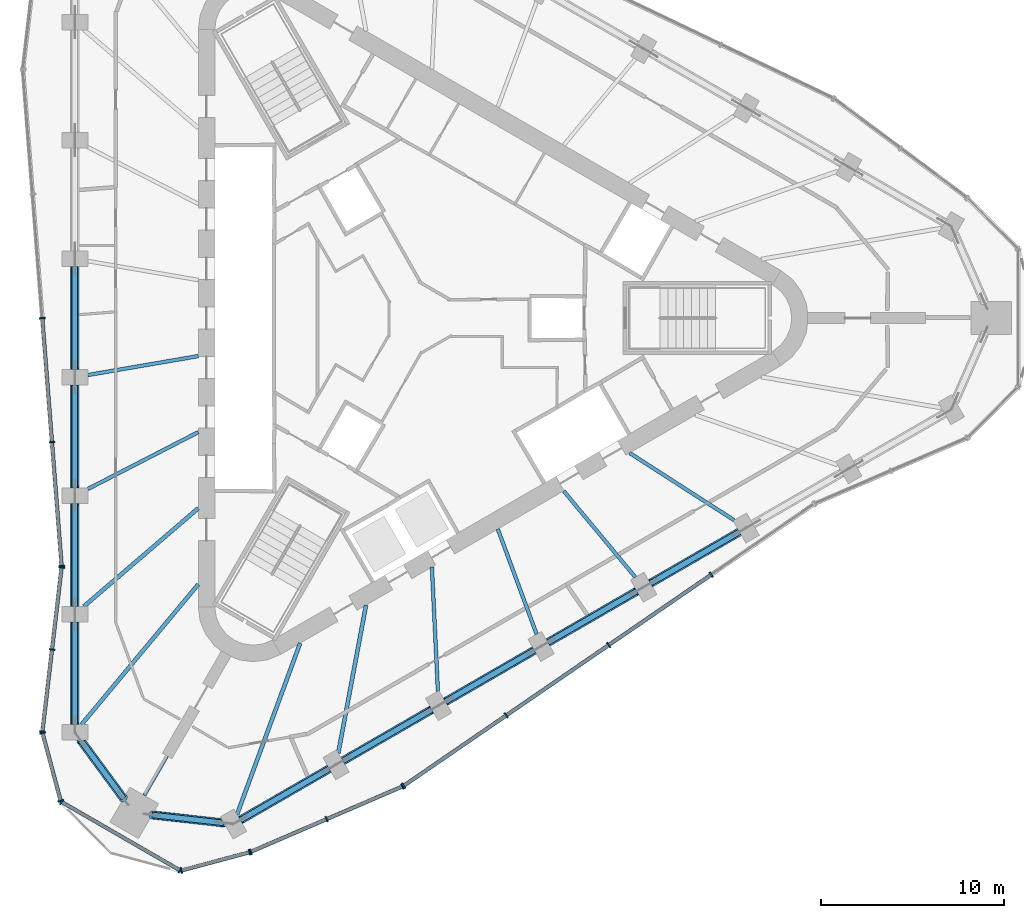
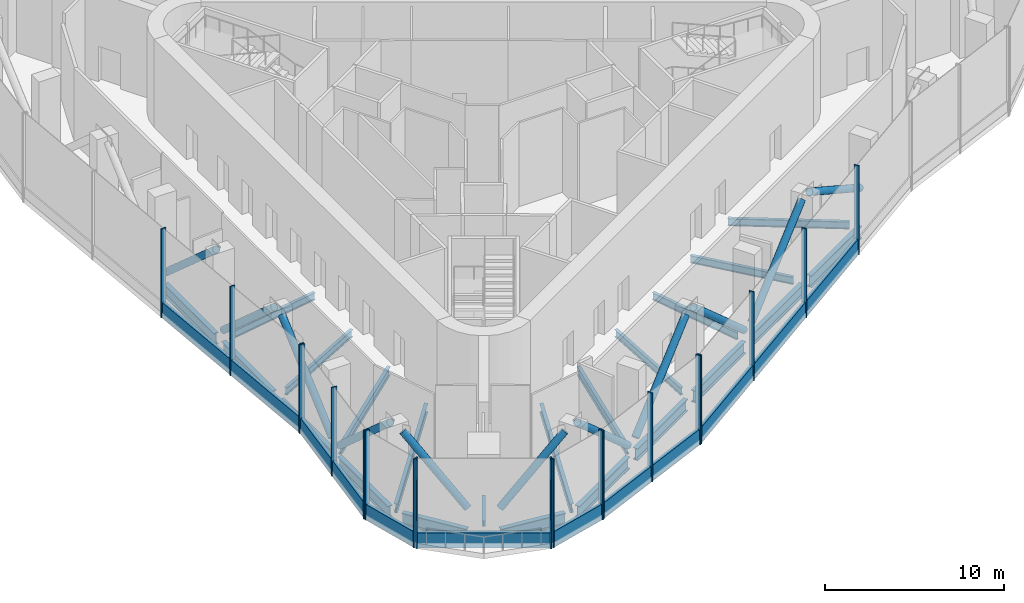
# One storey, part 2 of 15: 42 members, 22 beams, 7 elements without a shape of their own.
"""IFC4 building model written with IfcOpenShell, lengths in metres."""

from ifc_helpers import new_model, si_unit, direction, frame, origin, origin_2d, place, context, subcontext, project, spatial, rectangle, hollow_circle, i_section, extrude, material, material_profile, profile_set, type_object, element, aggregate, save


model = new_model("IFC4")

# Units and contexts
model_context = context("Model", 3, precision=1e-05, world=origin(), true_north=direction((0.0, 1.0)))
body_context = subcontext(model_context, "Body", "Model", "MODEL_VIEW")
ifc_project = project(units=[si_unit("LENGTHUNIT", "METRE"), si_unit("AREAUNIT", "SQUARE_METRE"), si_unit("VOLUMEUNIT", "CUBIC_METRE"), si_unit("PLANEANGLEUNIT", "RADIAN"), si_unit("MASSUNIT", "GRAM", prefix="KILO")], contexts=[model_context])

# Site, building, storey
site_placement = place(None, origin())
site = spatial("IfcSite", under=ifc_project, at=site_placement, CompositionType="ELEMENT")
building_placement = place(site_placement, origin())
building = spatial("IfcBuilding", under=site, at=building_placement, Name="Tanit Gate Tower", CompositionType="ELEMENT")
storey_placement = place(building_placement, frame((0.0, 0.0, 392.300048828125)))
storey = spatial("IfcBuildingStorey", under=building, at=storey_placement, Name="L90", CompositionType="ELEMENT", Elevation=392.300048828125)

# Beams
ifc_material_1 = material(Name="Steel S460", Category="steel")
ifc_material_profile_1 = material_profile(ifc_material_1, i_section(OverallWidth=0.302978515625, OverallDepth=0.81396484375, WebThickness=0.02099609375, FlangeThickness=0.0400390625, FilletRadius=0.030029296875, at=origin_2d()), Name="HEM 800")
ifc_profile_set_1 = profile_set([ifc_material_profile_1], Name="Steel S460")
beam_type_1 = type_object("IfcBeamType", Name="BELT TRUSS CHORD HEM 800 S460", PredefinedType="BEAM", material=ifc_profile_set_1)
for number, where, z_axis, x_axis, name in (
    (1, (-18.833984375, -3.656982421875, -0.757080078125), (0.0, -1.0, 0.0), (1.0, 0.0, 0.0), "BELT TRUSS CHORD"),
    (2, (-18.833984375, -10.120849609375, -0.757080078125), (0.0, -1.0, 0.0), (1.0, 0.0, 0.0), "BELT TRUSS CHORD"),
    (3, (-18.833984375, -16.584716796875, -0.757080078125), (0.0, -1.0, 0.0), (1.0, 0.0, 0.0), "BELT TRUSS CHORD"),
):
    element("IfcBeam", number, at=place(storey_placement, frame(where, z_axis=z_axis, x_axis=x_axis)), inside=storey, type_object=beam_type_1, Name=name, PredefinedType="BEAM", context=body_context, shape_type="SweptSolid", body=[
        extrude(i_section(OverallWidth=0.302978515625, OverallDepth=0.81396484375, WebThickness=0.02099609375, FlangeThickness=0.0400390625, FilletRadius=0.030029296875, at=origin_2d()), origin(), (0.0, 0.0, 1.0), 5.61376953125),
    ])
for number, where, z_axis, x_axis, name in (
    (4, (-18.52099609375, -23.048583984375, -0.757080078125), (0.593167379539, -0.805079163717, 0.0), (0.805079163717, 0.593167379539, 0.0), "BELT TRUSS CHORD"),
    (5, (-14.62158203125, -27.12548828125, -0.757080078125), (0.993813360322, -0.111063066977, 0.0), (0.111063066977, 0.993813360322, 0.0), "BELT TRUSS CHORD"),
):
    element("IfcBeam", number, at=place(storey_placement, frame(where, z_axis=z_axis, x_axis=x_axis)), inside=storey, type_object=beam_type_1, Name=name, PredefinedType="BEAM", context=body_context, shape_type="SweptSolid", body=[
        extrude(i_section(OverallWidth=0.302978515625, OverallDepth=0.81396484375, WebThickness=0.02099609375, FlangeThickness=0.0400390625, FilletRadius=0.030029296875, at=origin_2d()), origin(), (0.0, 0.0, 1.0), 3.94580078125),
    ])
for number, where, z_axis, x_axis, name in (
    (6, (-9.8076171875, -27.409912109375, -0.757080078125), (0.866032056001, 0.499988477847, 0.0), (-0.499988477847, 0.866032056001, 0.0), "BELT TRUSS CHORD"),
    (7, (-4.209716796875, -24.177978515625, -0.757080078125), (0.866032056001, 0.499988477847, 0.0), (-0.499988477847, 0.866032056001, 0.0), "BELT TRUSS CHORD"),
    (8, (1.38818359375, -20.946044921875, -0.757080078125), (0.866032056001, 0.499988477847, 0.0), (-0.499988477847, 0.866032056001, 0.0), "BELT TRUSS CHORD"),
    (9, (6.986083984375, -17.714111328125, -0.757080078125), (0.866032056001, 0.499988477847, 0.0), (-0.499988477847, 0.866032056001, 0.0), "BELT TRUSS CHORD"),
    (10, (12.583984375, -14.482177734375, -0.757080078125), (0.866032056001, 0.499988477847, 0.0), (-0.499988477847, 0.866032056001, 0.0), "BELT TRUSS CHORD"),
):
    element("IfcBeam", number, at=place(storey_placement, frame(where, z_axis=z_axis, x_axis=x_axis)), inside=storey, type_object=beam_type_1, Name=name, PredefinedType="BEAM", context=body_context, shape_type="SweptSolid", body=[
        extrude(i_section(OverallWidth=0.302978515625, OverallDepth=0.81396484375, WebThickness=0.02099609375, FlangeThickness=0.0400390625, FilletRadius=0.030029296875, at=origin_2d()), origin(), (0.0, 0.0, 1.0), 5.614013671875),
    ])
beam_1_placement = place(storey_placement, frame((-18.833984375, 2.806884765625, -0.757080078125), z_axis=(0.0, -1.0, 0.0), x_axis=(1.0, 0.0, 0.0)))
element("IfcBeam", 11, at=beam_1_placement, inside=storey, type_object=beam_type_1, Name="BELT TRUSS CHORD", PredefinedType="BEAM", context=body_context, shape_type="SweptSolid", body=[
    extrude(i_section(OverallWidth=0.302978515625, OverallDepth=0.81396484375, WebThickness=0.02099609375, FlangeThickness=0.0400390625, FilletRadius=0.030029296875, at=origin_2d()), origin(), (0.0, 0.0, 1.0), 5.61376953125),
])

# Members
ifc_material_2 = material(Name="Steel S460", Category="steel")
ifc_material_profile_2 = material_profile(ifc_material_2, hollow_circle(Radius=0.228515625, WallThickness=0.02001953125, at=origin_2d()), Name="CHS 457x20")
ifc_profile_set_2 = profile_set([ifc_material_profile_2], Name="Steel S460")
member_type_1 = type_object("IfcMemberType", Name="BELT TRUSS DIAGONAL CHS 457x20 S460", PredefinedType="BRACE", material=ifc_profile_set_2)
for number, where, z_axis, x_axis, name in (
    (12, (-18.833984375, -3.656982421875, 0.374755859375), (0.0, -0.750029156102, 0.661404766386), (1.0, 0.0, 0.0), "BELT TRUSS DIAGONAL"),
    (13, (-18.833984375, -10.120849609375, 5.3251953125), (0.0, -0.750029156102, -0.661404766386), (1.0, 0.0, 0.0), "BELT TRUSS DIAGONAL"),
    (14, (-18.833984375, -16.584716796875, 0.374755859375), (0.0, -0.750029156102, 0.661404766386), (1.0, 0.0, 0.0), "BELT TRUSS DIAGONAL"),
):
    element("IfcMember", number, at=place(storey_placement, frame(where, z_axis=z_axis, x_axis=x_axis)), inside=storey, type_object=member_type_1, Name=name, PredefinedType="BRACE", context=body_context, shape_type="SweptSolid", body=[
        extrude(hollow_circle(Radius=0.228515625, WallThickness=0.02001953125, at=origin_2d()), origin(), (0.0, 0.0, 1.0), 7.484619140625),
    ])
member_1_placement = place(storey_placement, frame((-18.52099609375, -23.048583984375, 5.1484375), z_axis=(0.4101633177, -0.556696056108, -0.722395704533), x_axis=(0.805079163717, 0.593167379539, 0.0)))
element("IfcMember", 15, at=member_1_placement, inside=storey, type_object=member_type_1, Name="BELT TRUSS DIAGONAL", PredefinedType="BRACE", context=body_context, shape_type="SweptSolid", body=[
    extrude(hollow_circle(Radius=0.228515625, WallThickness=0.02001953125, at=origin_2d()), origin(), (0.0, 0.0, 1.0), 5.70654296875),
])
member_2_placement = place(storey_placement, frame((-14.62158203125, -27.12548828125, 1.026123046875), z_axis=(0.687190883457, -0.0768394239, 0.722401822138), x_axis=(0.111124176711, 0.993806529135, 0.0)))
element("IfcMember", 16, at=member_2_placement, inside=storey, type_object=member_type_1, Name="BELT TRUSS DIAGONAL", PredefinedType="BRACE", context=body_context, shape_type="SweptSolid", body=[
    extrude(hollow_circle(Radius=0.228515625, WallThickness=0.02001953125, at=origin_2d()), origin(), (0.0, 0.0, 1.0), 5.706298828125),
])
for number, where, z_axis, x_axis, name in (
    (17, (-9.8076171875, -27.409912109375, 5.3251953125), (0.649555840169, 0.375009716502, -0.661396192181), (-0.499988477847, 0.866032056001, 0.0), "BELT TRUSS DIAGONAL"),
    (18, (-4.209716796875, -24.177978515625, 0.374755859375), (0.649555840169, 0.375009716502, 0.661396192181), (-0.499988477847, 0.866032056001, 0.0), "BELT TRUSS DIAGONAL"),
    (19, (1.38818359375, -20.946044921875, 5.3251953125), (0.649555840169, 0.375009716502, -0.661396192181), (-0.499988477847, 0.866032056001, 0.0), "BELT TRUSS DIAGONAL"),
    (20, (6.986083984375, -17.714111328125, 0.374755859375), (0.649555840169, 0.375009716502, 0.661396192181), (-0.499988477847, 0.866032056001, 0.0), "BELT TRUSS DIAGONAL"),
):
    element("IfcMember", number, at=place(storey_placement, frame(where, z_axis=z_axis, x_axis=x_axis)), inside=storey, type_object=member_type_1, Name=name, PredefinedType="BRACE", context=body_context, shape_type="SweptSolid", body=[
        extrude(hollow_circle(Radius=0.228515625, WallThickness=0.02001953125, at=origin_2d()), origin(), (0.0, 0.0, 1.0), 7.48486328125),
    ])
member_3_placement = place(storey_placement, frame((12.583984375, -14.482177734375, 5.3251953125), z_axis=(0.756681067747, 0.436856595153, -0.48640526003), x_axis=(-0.499988477847, 0.866032056001, 0.0)))
element("IfcMember", 21, at=member_3_placement, inside=storey, type_object=member_type_1, Name="BELT TRUSS DIAGONAL", PredefinedType="BRACE", context=body_context, shape_type="SweptSolid", body=[
    extrude(hollow_circle(Radius=0.228515625, WallThickness=0.02001953125, at=origin_2d()), origin(), (0.0, 0.0, 1.0), 6.42529296875),
])
member_4_placement = place(storey_placement, frame((-18.833984375, 2.806884765625, 0.374755859375), z_axis=(0.0, -0.750029156102, 0.661404766386), x_axis=(1.0, 0.0, 0.0)))
element("IfcMember", 22, at=member_4_placement, inside=storey, type_object=member_type_1, Name="BELT TRUSS DIAGONAL", PredefinedType="BRACE", context=body_context, shape_type="SweptSolid", body=[
    extrude(hollow_circle(Radius=0.228515625, WallThickness=0.02001953125, at=origin_2d()), origin(), (0.0, 0.0, 1.0), 7.484619140625),
])

# Curtain wall, members
ifc_material_3 = material(Name="Aluminium bronze anodised and glass", Category="aluminium")
curtain_wall_type = type_object("IfcCurtainWallType", Name="Curtain wall sky lobby", PredefinedType="NOTDEFINED", material=ifc_material_3)
curtain_wall_1_placement = place(storey_placement, origin())
curtain_wall_1 = element("IfcCurtainWall", 23, at=curtain_wall_1_placement, inside=storey, type_object=curtain_wall_type, Name="Curtain wall L90 W2", PredefinedType="NOTDEFINED")
ifc_material_4 = material(Name="Aluminium bronze anodised", Category="aluminium")
ifc_material_profile_3 = material_profile(ifc_material_4, rectangle(XDim=0.320068359375, YDim=0.080078125, at=origin_2d()), Name="80x320 bronze mullion")
ifc_profile_set_3 = profile_set([ifc_material_profile_3], Name="Aluminium bronze anodised")
member_type_2 = type_object("IfcMemberType", Name="Mullion 80x320 sky lobby", PredefinedType="MULLION", material=ifc_profile_set_3)
member_5_placement = place(storey_placement, frame((-20.613525390625, -0.00244140625, -0.35009765625), z_axis=(0.0, 0.0, 1.0), x_axis=(0.996965976109, 0.077838566791, 0.0)))
member_5 = element("IfcMember", 24, at=member_5_placement, type_object=member_type_2, Name="Mullion L90 W2.3", PredefinedType="MULLION", context=body_context, shape_type="SweptSolid", body=[
    extrude(rectangle(XDim=0.320068359375, YDim=0.080078125, at=origin_2d()), origin(), (0.0, 0.0, 1.0), 6.050048828125),
])
member_6_placement = place(storey_placement, frame((-20.085205078125, -6.76953125, -0.35009765625), z_axis=(0.0, 0.0, 1.0), x_axis=(0.996965976109, 0.077838566791, 0.0)))
member_6 = element("IfcMember", 25, at=member_6_placement, type_object=member_type_2, Name="Mullion L90 W2.4", PredefinedType="MULLION", context=body_context, shape_type="SweptSolid", body=[
    extrude(rectangle(XDim=0.320068359375, YDim=0.080078125, at=origin_2d()), origin(), (0.0, 0.0, 1.0), 6.050048828125),
])
member_7_placement = place(storey_placement, frame((-19.556640625, -13.53662109375, -0.35009765625), z_axis=(0.0, 0.0, 1.0), x_axis=(0.996965976109, 0.077838566791, 0.0)))
member_7 = element("IfcMember", 26, at=member_7_placement, type_object=member_type_2, Name="Mullion L90 W2.5", PredefinedType="MULLION", context=body_context, shape_type="SweptSolid", body=[
    extrude(rectangle(XDim=0.320068359375, YDim=0.080078125, at=origin_2d()), origin(), (0.0, 0.0, 1.0), 6.050048828125),
])

curtain_wall_2_placement = place(storey_placement, origin())
curtain_wall_2 = element("IfcCurtainWall", 27, at=curtain_wall_2_placement, inside=storey, type_object=curtain_wall_type, Name="Curtain wall L90 W3", PredefinedType="NOTDEFINED")
member_8_placement = place(storey_placement, frame((-19.558349609375, -13.6162109375, -0.35009765625), z_axis=(0.0, 0.0, 1.0), x_axis=(0.993211998535, -0.116318209953, 0.0)))
member_8 = element("IfcMember", 28, at=member_8_placement, type_object=member_type_2, Name="Mullion L90 W3.1", PredefinedType="MULLION", context=body_context, shape_type="SweptSolid", body=[
    extrude(rectangle(XDim=0.320068359375, YDim=0.080078125, at=origin_2d()), origin(), (0.0, 0.0, 1.0), 6.050048828125),
])
member_9_placement = place(storey_placement, frame((-20.082763671875, -18.095703125, -0.35009765625), z_axis=(0.0, 0.0, 1.0), x_axis=(0.993211998535, -0.116318209953, 0.0)))
member_9 = element("IfcMember", 29, at=member_9_placement, type_object=member_type_2, Name="Mullion L90 W3.2", PredefinedType="MULLION", context=body_context, shape_type="SweptSolid", body=[
    extrude(rectangle(XDim=0.320068359375, YDim=0.080078125, at=origin_2d()), origin(), (0.0, 0.0, 1.0), 6.050048828125),
])
member_10_placement = place(storey_placement, frame((-20.607421875, -22.574951171875, -0.35009765625), z_axis=(0.0, 0.0, 1.0), x_axis=(0.993211998535, -0.116318209953, 0.0)))
member_10 = element("IfcMember", 30, at=member_10_placement, type_object=member_type_2, Name="Mullion L90 W3.3", PredefinedType="MULLION", context=body_context, shape_type="SweptSolid", body=[
    extrude(rectangle(XDim=0.320068359375, YDim=0.080078125, at=origin_2d()), origin(), (0.0, 0.0, 1.0), 6.050048828125),
])

curtain_wall_3_placement = place(storey_placement, origin())
curtain_wall_3 = element("IfcCurtainWall", 31, at=curtain_wall_3_placement, inside=storey, type_object=curtain_wall_type, Name="Curtain wall L90 SW.arc1", PredefinedType="NOTDEFINED")
member_11_placement = place(storey_placement, frame((-20.601806640625, -22.6533203125, -0.35009765625), z_axis=(0.0, 0.0, 1.0), x_axis=(0.965925826289, 0.258819045103, 0.0)))
member_11 = element("IfcMember", 32, at=member_11_placement, type_object=member_type_2, Name="Mullion L90 SW.arc1.1", PredefinedType="MULLION", context=body_context, shape_type="SweptSolid", body=[
    extrude(rectangle(XDim=0.320068359375, YDim=0.080078125, at=origin_2d()), origin(), (0.0, 0.0, 1.0), 6.050048828125),
])
member_12_placement = place(storey_placement, frame((-19.60888671875, -26.35888671875, -0.35009765625), z_axis=(0.0, 0.0, 1.0), x_axis=(0.965925826289, 0.258819045103, 0.0)))
member_12 = element("IfcMember", 33, at=member_12_placement, type_object=member_type_2, Name="Mullion L90 SW.arc1.2", PredefinedType="MULLION", context=body_context, shape_type="SweptSolid", body=[
    extrude(rectangle(XDim=0.320068359375, YDim=0.080078125, at=origin_2d()), origin(), (0.0, 0.0, 1.0), 6.050048828125),
])

curtain_wall_4_placement = place(storey_placement, origin())
curtain_wall_4 = element("IfcCurtainWall", 34, at=curtain_wall_4_placement, inside=storey, type_object=curtain_wall_type, Name="Curtain wall L90 SW.arc2", PredefinedType="NOTDEFINED")
member_13_placement = place(storey_placement, frame((-19.56396484375, -26.417724609375, -0.35009765625), z_axis=(0.0, 0.0, 1.0), x_axis=(0.5, 0.866025403784, 0.0)))
member_13 = element("IfcMember", 35, at=member_13_placement, type_object=member_type_2, Name="Mullion L90 SW.arc2.1", PredefinedType="MULLION", context=body_context, shape_type="SweptSolid", body=[
    extrude(rectangle(XDim=0.320068359375, YDim=0.080078125, at=origin_2d()), origin(), (0.0, 0.0, 1.0), 6.050048828125),
])
member_14_placement = place(storey_placement, frame((-13.096435546875, -30.151611328125, -0.35009765625), z_axis=(0.0, 0.0, 1.0), x_axis=(0.5, 0.866025403784, 0.0)))
member_14 = element("IfcMember", 36, at=member_14_placement, type_object=member_type_2, Name="Mullion L90 SW.arc2.2", PredefinedType="MULLION", context=body_context, shape_type="SweptSolid", body=[
    extrude(rectangle(XDim=0.320068359375, YDim=0.080078125, at=origin_2d()), origin(), (0.0, 0.0, 1.0), 6.050048828125),
])

curtain_wall_5_placement = place(storey_placement, origin())
curtain_wall_5 = element("IfcCurtainWall", 37, at=curtain_wall_5_placement, inside=storey, type_object=curtain_wall_type, Name="Curtain wall L90 SW.arc3", PredefinedType="NOTDEFINED")
member_15_placement = place(storey_placement, frame((-13.023193359375, -30.161376953125, -0.35009765625), z_axis=(0.0, 0.0, 1.0), x_axis=(-0.258819045103, 0.965925826289, 0.0)))
member_15 = element("IfcMember", 38, at=member_15_placement, type_object=member_type_2, Name="Mullion L90 SW.arc3.1", PredefinedType="MULLION", context=body_context, shape_type="SweptSolid", body=[
    extrude(rectangle(XDim=0.320068359375, YDim=0.080078125, at=origin_2d()), origin(), (0.0, 0.0, 1.0), 6.050048828125),
])
member_16_placement = place(storey_placement, frame((-9.3037109375, -29.164794921875, -0.35009765625), z_axis=(0.0, 0.0, 1.0), x_axis=(-0.258819045103, 0.965925826289, 0.0)))
member_16 = element("IfcMember", 39, at=member_16_placement, type_object=member_type_2, Name="Mullion L90 SW.arc3.2", PredefinedType="MULLION", context=body_context, shape_type="SweptSolid", body=[
    extrude(rectangle(XDim=0.320068359375, YDim=0.080078125, at=origin_2d()), origin(), (0.0, 0.0, 1.0), 6.050048828125),
])

curtain_wall_6_placement = place(storey_placement, origin())
curtain_wall_6 = element("IfcCurtainWall", 40, at=curtain_wall_6_placement, inside=storey, type_object=curtain_wall_type, Name="Curtain wall L90 SE1", PredefinedType="NOTDEFINED")
member_17_placement = place(storey_placement, frame((-9.228515625, -29.138427734375, -0.35009765625), z_axis=(0.0, 0.0, 1.0), x_axis=(-0.395871474525, 0.918305927051, 0.0)))
member_17 = element("IfcMember", 41, at=member_17_placement, type_object=member_type_2, Name="Mullion L90 SE1.1", PredefinedType="MULLION", context=body_context, shape_type="SweptSolid", body=[
    extrude(rectangle(XDim=0.320068359375, YDim=0.080078125, at=origin_2d()), origin(), (0.0, 0.0, 1.0), 6.050048828125),
])
member_18_placement = place(storey_placement, frame((-5.091064453125, -27.35498046875, -0.35009765625), z_axis=(0.0, 0.0, 1.0), x_axis=(-0.395871474525, 0.918305927051, 0.0)))
member_18 = element("IfcMember", 42, at=member_18_placement, type_object=member_type_2, Name="Mullion L90 SE1.2", PredefinedType="MULLION", context=body_context, shape_type="SweptSolid", body=[
    extrude(rectangle(XDim=0.320068359375, YDim=0.080078125, at=origin_2d()), origin(), (0.0, 0.0, 1.0), 6.050048828125),
])
member_19_placement = place(storey_placement, frame((-0.95361328125, -25.5712890625, -0.35009765625), z_axis=(0.0, 0.0, 1.0), x_axis=(-0.395871474525, 0.918305927051, 0.0)))
member_19 = element("IfcMember", 43, at=member_19_placement, type_object=member_type_2, Name="Mullion L90 SE1.3", PredefinedType="MULLION", context=body_context, shape_type="SweptSolid", body=[
    extrude(rectangle(XDim=0.320068359375, YDim=0.080078125, at=origin_2d()), origin(), (0.0, 0.0, 1.0), 6.050048828125),
])

curtain_wall_7_placement = place(storey_placement, origin())
curtain_wall_7 = element("IfcCurtainWall", 44, at=curtain_wall_7_placement, inside=storey, type_object=curtain_wall_type, Name="Curtain wall L90 SE2", PredefinedType="NOTDEFINED")
member_20_placement = place(storey_placement, frame((-0.884033203125, -25.532958984375, -0.35009765625), z_axis=(0.0, 0.0, 1.0), x_axis=(-0.56589316429, 0.824478578624, 0.0)))
member_20 = element("IfcMember", 45, at=member_20_placement, type_object=member_type_2, Name="Mullion L90 SE2.1", PredefinedType="MULLION", context=body_context, shape_type="SweptSolid", body=[
    extrude(rectangle(XDim=0.320068359375, YDim=0.080078125, at=origin_2d()), origin(), (0.0, 0.0, 1.0), 6.050048828125),
])
member_21_placement = place(storey_placement, frame((4.71240234375, -21.691650390625, -0.35009765625), z_axis=(0.0, 0.0, 1.0), x_axis=(-0.56589316429, 0.824478578624, 0.0)))
member_21 = element("IfcMember", 46, at=member_21_placement, type_object=member_type_2, Name="Mullion L90 SE2.2", PredefinedType="MULLION", context=body_context, shape_type="SweptSolid", body=[
    extrude(rectangle(XDim=0.320068359375, YDim=0.080078125, at=origin_2d()), origin(), (0.0, 0.0, 1.0), 6.050048828125),
])
member_22_placement = place(storey_placement, frame((10.308837890625, -17.8505859375, -0.35009765625), z_axis=(0.0, 0.0, 1.0), x_axis=(-0.56589316429, 0.824478578624, 0.0)))
member_22 = element("IfcMember", 47, at=member_22_placement, type_object=member_type_2, Name="Mullion L90 SE2.3", PredefinedType="MULLION", context=body_context, shape_type="SweptSolid", body=[
    extrude(rectangle(XDim=0.320068359375, YDim=0.080078125, at=origin_2d()), origin(), (0.0, 0.0, 1.0), 6.050048828125),
])
member_23_placement = place(storey_placement, frame((15.905029296875, -14.009521484375, -0.35009765625), z_axis=(0.0, 0.0, 1.0), x_axis=(-0.56589316429, 0.824478578624, 0.0)))
member_23 = element("IfcMember", 48, at=member_23_placement, type_object=member_type_2, Name="Mullion L90 SE2.4", PredefinedType="MULLION", context=body_context, shape_type="SweptSolid", body=[
    extrude(rectangle(XDim=0.320068359375, YDim=0.080078125, at=origin_2d()), origin(), (0.0, 0.0, 1.0), 6.050048828125),
])

# Beams
ifc_material_5 = material(Name="Steel S355", Category="steel")
ifc_material_profile_4 = material_profile(ifc_material_5, i_section(OverallWidth=0.179931640625, OverallDepth=0.39990234375, WebThickness=0.008544921875, FlangeThickness=0.013427734375, FilletRadius=0.02099609375, at=origin_2d()), Name="IPE 400")
ifc_profile_set_4 = profile_set([ifc_material_profile_4], Name="Steel S355")
beam_type_2 = type_object("IfcBeamType", Name="RADIAL GIRDER IPE 400 S355", PredefinedType="BEAM", material=ifc_profile_set_4)
beam_2_placement = place(storey_placement, frame((-15.0478515625, -26.063720703125, -0.550048828125), z_axis=(0.499965672037, 0.866045222136, 0.0), x_axis=(-0.866045222136, 0.499965672037, 0.0)))
element("IfcBeam", 49, at=beam_2_placement, inside=storey, type_object=beam_type_2, Name="RADIAL GIRDER", PredefinedType="BEAM", context=body_context, shape_type="SweptSolid", body=[
    extrude(i_section(OverallWidth=0.179931640625, OverallDepth=0.39990234375, WebThickness=0.008544921875, FlangeThickness=0.013427734375, FilletRadius=0.02099609375, at=origin_2d()), origin(), (0.0, 0.0, 1.0), 2.490966796875),
])
ifc_material_6 = material(Name="Steel S355", Category="steel")
ifc_material_profile_5 = material_profile(ifc_material_6, i_section(OverallWidth=0.199951171875, OverallDepth=0.5, WebThickness=0.01025390625, FlangeThickness=0.01611328125, FilletRadius=0.02099609375, at=origin_2d()), Name="IPE 500")
ifc_profile_set_5 = profile_set([ifc_material_profile_5], Name="Steel S355")
beam_type_3 = type_object("IfcBeamType", Name="RADIAL GIRDER IPE 500 S355", PredefinedType="BEAM", material=ifc_profile_set_5)
beam_3_placement = place(storey_placement, frame((-18.134033203125, -3.11181640625, -0.60009765625), z_axis=(0.985592249699, 0.169138751719, 0.0), x_axis=(-0.169138751719, 0.985592249699, 0.0)))
element("IfcBeam", 50, at=beam_3_placement, inside=storey, type_object=beam_type_3, Name="RADIAL GIRDER", PredefinedType="BEAM", context=body_context, shape_type="SweptSolid", body=[
    extrude(i_section(OverallWidth=0.199951171875, OverallDepth=0.5, WebThickness=0.01025390625, FlangeThickness=0.01611328125, FilletRadius=0.02099609375, at=origin_2d()), origin(), (0.0, 0.0, 1.0), 6.1201171875),
])
for number, where, z_axis, x_axis, name in (
    (51, (-18.134033203125, -9.33544921875, -0.60009765625), (0.889089509104, 0.457733377416, 0.0), (-0.457733377416, 0.889089509104, 0.0), "RADIAL GIRDER"),
    (52, (0.982177734375, -20.372314453125, -0.60009765625), (-0.048148149824, 0.998840205272, 0.0), (-0.998840205272, -0.048148149824, 0.0), "RADIAL GIRDER"),
):
    element("IfcBeam", number, at=place(storey_placement, frame(where, z_axis=z_axis, x_axis=x_axis)), inside=storey, type_object=beam_type_3, Name=name, PredefinedType="BEAM", context=body_context, shape_type="SweptSolid", body=[
        extrude(i_section(OverallWidth=0.199951171875, OverallDepth=0.5, WebThickness=0.01025390625, FlangeThickness=0.01611328125, FilletRadius=0.02099609375, at=origin_2d()), origin(), (0.0, 0.0, 1.0), 6.784423828125),
    ])
beam_4_placement = place(storey_placement, frame((6.3720703125, -17.260498046875, -0.60009765625), z_axis=(-0.346331956525, 0.938112027366, 0.0), x_axis=(-0.938112027366, -0.346331956525, 0.0)))
element("IfcBeam", 53, at=beam_4_placement, inside=storey, type_object=beam_type_3, Name="RADIAL GIRDER", PredefinedType="BEAM", context=body_context, shape_type="SweptSolid", body=[
    extrude(i_section(OverallWidth=0.199951171875, OverallDepth=0.5, WebThickness=0.01025390625, FlangeThickness=0.01611328125, FilletRadius=0.02099609375, at=origin_2d()), origin(), (0.0, 0.0, 1.0), 6.1201171875),
])
beam_5_placement = place(storey_placement, frame((11.761962890625, -14.1484375, -0.60009765625), z_axis=(-0.639281465972, 0.76897282609, 0.0), x_axis=(-0.76897282609, -0.639281465972, 0.0)))
element("IfcBeam", 54, at=beam_5_placement, inside=storey, type_object=beam_type_3, Name="RADIAL GIRDER", PredefinedType="BEAM", context=body_context, shape_type="SweptSolid", body=[
    extrude(i_section(OverallWidth=0.199951171875, OverallDepth=0.5, WebThickness=0.01025390625, FlangeThickness=0.01611328125, FilletRadius=0.02099609375, at=origin_2d()), origin(), (0.0, 0.0, 1.0), 6.119873046875),
])
beam_6_placement = place(storey_placement, frame((17.151611328125, -11.036865234375, -0.60009765625), z_axis=(-0.840921151668, 0.541157663419, 0.0), x_axis=(-0.541157663419, -0.840921151668, 0.0)))
element("IfcBeam", 55, at=beam_6_placement, inside=storey, type_object=beam_type_3, Name="RADIAL GIRDER", PredefinedType="BEAM", context=body_context, shape_type="SweptSolid", body=[
    extrude(i_section(OverallWidth=0.199951171875, OverallDepth=0.5, WebThickness=0.01025390625, FlangeThickness=0.01611328125, FilletRadius=0.02099609375, at=origin_2d()), origin(), (0.0, 0.0, 1.0), 6.784423828125),
])
ifc_material_7 = material(Name="Steel S355", Category="steel")
ifc_material_profile_6 = material_profile(ifc_material_7, i_section(OverallWidth=0.219970703125, OverallDepth=0.60009765625, WebThickness=0.011962890625, FlangeThickness=0.01904296875, FilletRadius=0.02392578125, at=origin_2d()), Name="IPE 600")
ifc_profile_set_6 = profile_set([ifc_material_profile_6], Name="Steel S355")
beam_type_4 = type_object("IfcBeamType", Name="RADIAL GIRDER IPE 600 S355", PredefinedType="BEAM", material=ifc_profile_set_6)
beam_7_placement = place(storey_placement, frame((-18.338623046875, -15.734619140625, -0.650146484375), z_axis=(0.758929352331, 0.651172971008, 0.0), x_axis=(-0.651172971008, 0.758929352331, 0.0)))
element("IfcBeam", 56, at=beam_7_placement, inside=storey, type_object=beam_type_4, Name="RADIAL GIRDER", PredefinedType="BEAM", context=body_context, shape_type="SweptSolid", body=[
    extrude(i_section(OverallWidth=0.219970703125, OverallDepth=0.60009765625, WebThickness=0.011962890625, FlangeThickness=0.01904296875, FilletRadius=0.02392578125, at=origin_2d()), origin(), (0.0, 0.0, 1.0), 8.217529296875),
])
for number, where, z_axis, x_axis, name in (
    (57, (-18.480224609375, -22.198486328125, -0.650146484375), (0.639810946261, 0.768532337019, 0.0), (-0.768532337019, 0.639810946261, 0.0), "RADIAL GIRDER"),
    (58, (-9.984619140625, -27.103515625, -0.650146484375), (0.345682660263, 0.938351479134, 0.0), (-0.938351479134, 0.345682660263, 0.0), "RADIAL GIRDER"),
):
    element("IfcBeam", number, at=place(storey_placement, frame(where, z_axis=z_axis, x_axis=x_axis)), inside=storey, type_object=beam_type_4, Name=name, PredefinedType="BEAM", context=body_context, shape_type="SweptSolid", body=[
        extrude(i_section(OverallWidth=0.219970703125, OverallDepth=0.60009765625, WebThickness=0.011962890625, FlangeThickness=0.01904296875, FilletRadius=0.02392578125, at=origin_2d()), origin(), (0.0, 0.0, 1.0), 9.96875),
    ])
beam_8_placement = place(storey_placement, frame((-4.45751953125, -23.7490234375, -0.650146484375), z_axis=(0.184498405984, 0.982832812939, 0.0), x_axis=(-0.982832812939, 0.184498405984, 0.0)))
element("IfcBeam", 59, at=beam_8_placement, inside=storey, type_object=beam_type_4, Name="RADIAL GIRDER", PredefinedType="BEAM", context=body_context, shape_type="SweptSolid", body=[
    extrude(i_section(OverallWidth=0.219970703125, OverallDepth=0.60009765625, WebThickness=0.011962890625, FlangeThickness=0.01904296875, FilletRadius=0.02392578125, at=origin_2d()), origin(), (0.0, 0.0, 1.0), 8.217529296875),
])

# Member
ifc_material_8 = material(Name="Aluminium bronze anodised", Category="aluminium")
ifc_material_profile_7 = material_profile(ifc_material_8, rectangle(XDim=0.199951171875, YDim=1.050048828125, at=origin_2d()), Name="200x1050 bronze transom")
ifc_profile_set_7 = profile_set([ifc_material_profile_7], Name="Aluminium bronze anodised")
member_type_3 = type_object("IfcMemberType", Name="Transom 200x1050 sky lobby", PredefinedType="USERDEFINED", material=ifc_profile_set_7)
member_24_placement = place(storey_placement, frame((-20.6103515625, -0.042236328125, 0.175048828125), z_axis=(0.077854316831, -0.996964746293, 0.0), x_axis=(0.996964746293, 0.077854316831, 0.0)))
member_24 = element("IfcMember", 60, at=member_24_placement, type_object=member_type_3, Name="Transom L90 W2.3", ObjectType="TRANSOM", PredefinedType="USERDEFINED", context=body_context, shape_type="SweptSolid", body=[
    extrude(rectangle(XDim=0.199951171875, YDim=1.050048828125, at=origin_2d()), origin(), (0.0, 0.0, 1.0), 6.70751953125),
])

member_25_placement = place(storey_placement, frame((-20.08203125, -6.809326171875, 0.175048828125), z_axis=(0.077851491829, -0.996964966897, 0.0), x_axis=(0.996964966897, 0.077851491829, 0.0)))
member_25 = element("IfcMember", 61, at=member_25_placement, type_object=member_type_3, Name="Transom L90 W2.4", ObjectType="TRANSOM", PredefinedType="USERDEFINED", context=body_context, shape_type="SweptSolid", body=[
    extrude(rectangle(XDim=0.199951171875, YDim=1.050048828125, at=origin_2d()), origin(), (0.0, 0.0, 1.0), 6.707763671875),
])

aggregate(curtain_wall_1, [member_5, member_6, member_7, member_24, member_25])

member_26_placement = place(storey_placement, frame((-19.56298828125, -13.656005859375, 0.175048828125), z_axis=(-0.116284849592, -0.993215904905, 0.0), x_axis=(0.993215904905, -0.116284849592, 0.0)))
member_26 = element("IfcMember", 62, at=member_26_placement, type_object=member_type_3, Name="Transom L90 W3.1", ObjectType="TRANSOM", PredefinedType="USERDEFINED", context=body_context, shape_type="SweptSolid", body=[
    extrude(rectangle(XDim=0.199951171875, YDim=1.050048828125, at=origin_2d()), origin(), (0.0, 0.0, 1.0), 4.429931640625),
])

member_27_placement = place(storey_placement, frame((-20.08740234375, -18.13525390625, 0.175048828125), z_axis=(-0.116332847467, -0.99321028418, 0.0), x_axis=(0.99321028418, -0.116332847467, 0.0)))
member_27 = element("IfcMember", 63, at=member_27_placement, type_object=member_type_3, Name="Transom L90 W3.2", ObjectType="TRANSOM", PredefinedType="USERDEFINED", context=body_context, shape_type="SweptSolid", body=[
    extrude(rectangle(XDim=0.199951171875, YDim=1.050048828125, at=origin_2d()), origin(), (0.0, 0.0, 1.0), 4.43017578125),
])

aggregate(curtain_wall_2, [member_8, member_9, member_10, member_26, member_27])

member_28_placement = place(storey_placement, frame((-20.59130859375, -22.692138671875, 0.175048828125), z_axis=(0.258819472716, -0.96592571171, 0.0), x_axis=(0.96592571171, 0.258819472716, 0.0)))
member_28 = element("IfcMember", 64, at=member_28_placement, type_object=member_type_3, Name="Transom L90 SW.arc1.1", ObjectType="TRANSOM", PredefinedType="USERDEFINED", context=body_context, shape_type="SweptSolid", body=[
    extrude(rectangle(XDim=0.199951171875, YDim=1.050048828125, at=origin_2d()), origin(), (0.0, 0.0, 1.0), 3.756103515625),
])

aggregate(curtain_wall_3, [member_11, member_12, member_28])

member_29_placement = place(storey_placement, frame((-19.529296875, -26.437744140625, 0.175048828125), z_axis=(0.866034254018, -0.499984670633, 0.0), x_axis=(0.499984670633, 0.866034254018, 0.0)))
member_29 = element("IfcMember", 65, at=member_29_placement, type_object=member_type_3, Name="Transom L90 SW.arc2.1", ObjectType="TRANSOM", PredefinedType="USERDEFINED", context=body_context, shape_type="SweptSolid", body=[
    extrude(rectangle(XDim=0.199951171875, YDim=1.050048828125, at=origin_2d()), origin(), (0.0, 0.0, 1.0), 7.387939453125),
])

aggregate(curtain_wall_4, [member_13, member_14, member_29])

member_30_placement = place(storey_placement, frame((-12.984375, -30.15087890625, 0.175048828125), z_axis=(0.965925795588, 0.258819159681, 0.0), x_axis=(-0.258819159681, 0.965925795588, 0.0)))
member_30 = element("IfcMember", 66, at=member_30_placement, type_object=member_type_3, Name="Transom L90 SW.arc3.1", ObjectType="TRANSOM", PredefinedType="USERDEFINED", context=body_context, shape_type="SweptSolid", body=[
    extrude(rectangle(XDim=0.199951171875, YDim=1.050048828125, at=origin_2d()), origin(), (0.0, 0.0, 1.0), 3.770263671875),
])

aggregate(curtain_wall_5, [member_15, member_16, member_30])

member_31_placement = place(storey_placement, frame((-9.191650390625, -29.12255859375, 0.175048828125), z_axis=(0.918315441962, 0.395849401987, 0.0), x_axis=(-0.395849401987, 0.918315441962, 0.0)))
member_31 = element("IfcMember", 67, at=member_31_placement, type_object=member_type_3, Name="Transom L90 SE1.1", ObjectType="TRANSOM", PredefinedType="USERDEFINED", context=body_context, shape_type="SweptSolid", body=[
    extrude(rectangle(XDim=0.199951171875, YDim=1.050048828125, at=origin_2d()), origin(), (0.0, 0.0, 1.0), 4.42529296875),
])

member_32_placement = place(storey_placement, frame((-5.054443359375, -27.339111328125, 0.175048828125), z_axis=(0.918304032132, 0.395875870154, 0.0), x_axis=(-0.395875870154, 0.918304032132, 0.0)))
member_32 = element("IfcMember", 68, at=member_32_placement, type_object=member_type_3, Name="Transom L90 SE1.2", ObjectType="TRANSOM", PredefinedType="USERDEFINED", context=body_context, shape_type="SweptSolid", body=[
    extrude(rectangle(XDim=0.199951171875, YDim=1.050048828125, at=origin_2d()), origin(), (0.0, 0.0, 1.0), 4.425537109375),
])

aggregate(curtain_wall_6, [member_17, member_18, member_19, member_31, member_32])

member_33_placement = place(storey_placement, frame((-0.85107421875, -25.51025390625, 0.175048828125), z_axis=(0.824482387079, 0.565887615517, 0.0), x_axis=(-0.565887615517, 0.824482387079, 0.0)))
member_33 = element("IfcMember", 69, at=member_33_placement, type_object=member_type_3, Name="Transom L90 SE2.1", ObjectType="TRANSOM", PredefinedType="USERDEFINED", context=body_context, shape_type="SweptSolid", body=[
    extrude(rectangle(XDim=0.199951171875, YDim=1.050048828125, at=origin_2d()), origin(), (0.0, 0.0, 1.0), 6.707763671875),
])

member_34_placement = place(storey_placement, frame((4.745361328125, -21.669189453125, 0.175048828125), z_axis=(0.824482387079, 0.565887615517, 0.0), x_axis=(-0.565887615517, 0.824482387079, 0.0)))
member_34 = element("IfcMember", 70, at=member_34_placement, type_object=member_type_3, Name="Transom L90 SE2.2", ObjectType="TRANSOM", PredefinedType="USERDEFINED", context=body_context, shape_type="SweptSolid", body=[
    extrude(rectangle(XDim=0.199951171875, YDim=1.050048828125, at=origin_2d()), origin(), (0.0, 0.0, 1.0), 6.707763671875),
])

member_35_placement = place(storey_placement, frame((10.341796875, -17.827880859375, 0.175048828125), z_axis=(0.824487713367, 0.565879855188, 0.0), x_axis=(-0.565879855188, 0.824487713367, 0.0)))
member_35 = element("IfcMember", 71, at=member_35_placement, type_object=member_type_3, Name="Transom L90 SE2.3", ObjectType="TRANSOM", PredefinedType="USERDEFINED", context=body_context, shape_type="SweptSolid", body=[
    extrude(rectangle(XDim=0.199951171875, YDim=1.050048828125, at=origin_2d()), origin(), (0.0, 0.0, 1.0), 6.70751953125),
])

aggregate(curtain_wall_7, [member_20, member_21, member_22, member_23, member_33, member_34, member_35])

save(model, "model.ifc")
